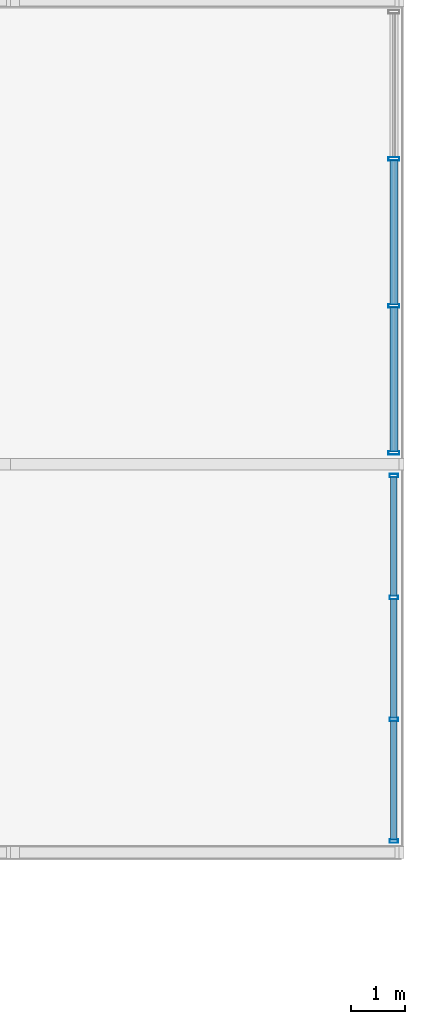
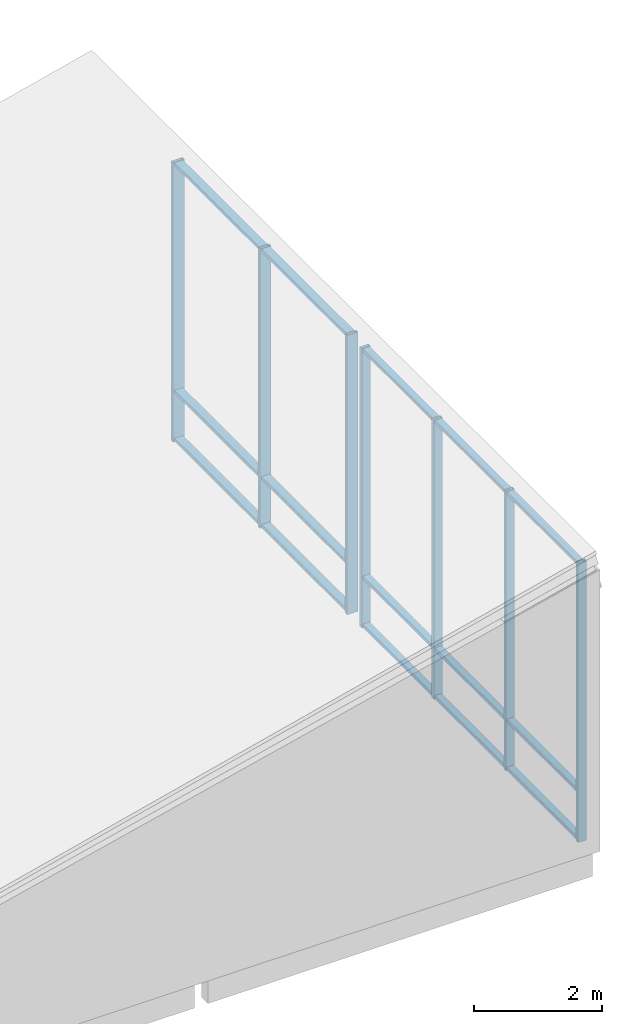
# One storey, part 28 of 57: 22 members, 2 elements without a shape of their own.
"""IFC4 building model written with IfcOpenShell, lengths in metres."""

from ifc_helpers import new_model, si_unit, direction, frame, origin, origin_2d, place, context, subcontext, project, spatial, hollow_rectangle, extrude, material, material_profile, profile_set, type_object, element, aggregate, save


model = new_model("IFC4")

# Units and contexts
model_context = context("Model", 3, precision=1e-05, world=origin(), true_north=direction((0.0, 1.0)))
body_context = subcontext(model_context, "Body", "Model", "MODEL_VIEW")
ifc_project = project(units=[si_unit("LENGTHUNIT", "METRE"), si_unit("AREAUNIT", "SQUARE_METRE"), si_unit("VOLUMEUNIT", "CUBIC_METRE"), si_unit("PLANEANGLEUNIT", "RADIAN"), si_unit("MASSUNIT", "GRAM", prefix="KILO")], contexts=[model_context])

# Site, building, storey
site_placement = place(None, origin())
site = spatial("IfcSite", under=ifc_project, at=site_placement, CompositionType="ELEMENT")
building_placement = place(site_placement, origin())
building = spatial("IfcBuilding", under=site, at=building_placement, Name="Hawrajan Terrace Health Centre", CompositionType="ELEMENT")
storey_placement = place(building_placement, frame((0.0, 0.0, 13.199951171875)))
storey = spatial("IfcBuildingStorey", under=building, at=storey_placement, Name="L03", CompositionType="ELEMENT", Elevation=13.199951171875)

# Curtain wall, members
ifc_material_1 = material(Name="Anodized bronze aluminium and low-E solar glazing", Category="aluminium")
curtain_wall_type = type_object("IfcCurtainWallType", Name="CW_Pavilion_SeriesE1", PredefinedType="USERDEFINED", material=ifc_material_1)
curtain_wall_1_placement = place(storey_placement, origin())
curtain_wall_1 = element("IfcCurtainWall", 1, at=curtain_wall_1_placement, inside=storey, type_object=curtain_wall_type, Name="Curtain wall CW-L03-V6E-186", ObjectType="UNITISED CURTAIN WALL", PredefinedType="USERDEFINED")
ifc_material_2 = material(Name="Anodized bronze aluminium 6063-T6", Category="aluminium")
ifc_material_profile_1 = material_profile(ifc_material_2, hollow_rectangle(XDim=0.06494140625, YDim=0.159912109375, WallThickness=0.00390625, at=origin_2d()), Name="CW MUL 65x160")
ifc_profile_set_1 = profile_set([ifc_material_profile_1], Name="Anodized bronze aluminium 6063-T6")
member_type_1 = type_object("IfcMemberType", Name="CWMullion_65x160", PredefinedType="MULLION", material=ifc_profile_set_1)
member_1_placement = place(storey_placement, frame((165.260009765625, 11.612548828125, -0.155029296875), z_axis=(0.0, 0.0, 1.0), x_axis=(0.0, 1.0, 0.0)))
member_1 = element("IfcMember", 2, at=member_1_placement, type_object=member_type_1, Name="Mullion CW-L03-V6E-186-M1", PredefinedType="MULLION", context=body_context, shape_type="SweptSolid", body=[
    extrude(hollow_rectangle(XDim=0.06494140625, YDim=0.159912109375, WallThickness=0.00390625, at=origin_2d()), origin(), (0.0, 0.0, 1.0), 5.345458984375),
])
member_2_placement = place(storey_placement, frame((165.260009765625, 13.870849609375, -0.155029296875), z_axis=(0.0, 0.0, 1.0), x_axis=(0.0, 1.0, 0.0)))
member_2 = element("IfcMember", 3, at=member_2_placement, type_object=member_type_1, Name="Mullion CW-L03-V6E-186-M2", PredefinedType="MULLION", context=body_context, shape_type="SweptSolid", body=[
    extrude(hollow_rectangle(XDim=0.06494140625, YDim=0.159912109375, WallThickness=0.00390625, at=origin_2d()), origin(), (0.0, 0.0, 1.0), 5.345458984375),
])
member_3_placement = place(storey_placement, frame((165.260009765625, 16.129150390625, -0.155029296875), z_axis=(0.0, 0.0, 1.0), x_axis=(0.0, 1.0, 0.0)))
member_3 = element("IfcMember", 4, at=member_3_placement, type_object=member_type_1, Name="Mullion CW-L03-V6E-186-M3", PredefinedType="MULLION", context=body_context, shape_type="SweptSolid", body=[
    extrude(hollow_rectangle(XDim=0.06494140625, YDim=0.159912109375, WallThickness=0.00390625, at=origin_2d()), origin(), (0.0, 0.0, 1.0), 5.345458984375),
])
member_4_placement = place(storey_placement, frame((165.260009765625, 18.387451171875, -0.155029296875), z_axis=(0.0, 0.0, 1.0), x_axis=(0.0, 1.0, 0.0)))
member_4 = element("IfcMember", 5, at=member_4_placement, type_object=member_type_1, Name="Mullion CW-L03-V6E-186-M4", PredefinedType="MULLION", context=body_context, shape_type="SweptSolid", body=[
    extrude(hollow_rectangle(XDim=0.06494140625, YDim=0.159912109375, WallThickness=0.00390625, at=origin_2d()), origin(), (0.0, 0.0, 1.0), 5.345458984375),
])

curtain_wall_2_placement = place(storey_placement, origin())
curtain_wall_2 = element("IfcCurtainWall", 6, at=curtain_wall_2_placement, inside=storey, type_object=curtain_wall_type, Name="Curtain wall CW-L03-V6E-187", ObjectType="UNITISED CURTAIN WALL", PredefinedType="USERDEFINED")
ifc_material_profile_2 = material_profile(ifc_material_2, hollow_rectangle(XDim=0.06494140625, YDim=0.199951171875, WallThickness=0.00439453125, at=origin_2d()), Name="CW MUL 65x200")
ifc_profile_set_2 = profile_set([ifc_material_profile_2], Name="Anodized bronze aluminium 6063-T6")
member_type_2 = type_object("IfcMemberType", Name="CWMullion_65x200", PredefinedType="MULLION", material=ifc_profile_set_2)
member_5_placement = place(storey_placement, frame((165.260009765625, 18.8125, -0.155029296875), z_axis=(0.0, 0.0, 1.0), x_axis=(0.0, 1.0, 0.0)))
member_5 = element("IfcMember", 7, at=member_5_placement, type_object=member_type_2, Name="Mullion CW-L03-V6E-187-M1", PredefinedType="MULLION", context=body_context, shape_type="SweptSolid", body=[
    extrude(hollow_rectangle(XDim=0.06494140625, YDim=0.199951171875, WallThickness=0.00439453125, at=origin_2d()), origin(), (0.0, 0.0, 1.0), 5.345458984375),
])
member_6_placement = place(storey_placement, frame((165.260009765625, 21.53759765625, -0.155029296875), z_axis=(0.0, 0.0, 1.0), x_axis=(0.0, 1.0, 0.0)))
member_6 = element("IfcMember", 8, at=member_6_placement, type_object=member_type_2, Name="Mullion CW-L03-V6E-187-M2", PredefinedType="MULLION", context=body_context, shape_type="SweptSolid", body=[
    extrude(hollow_rectangle(XDim=0.06494140625, YDim=0.199951171875, WallThickness=0.00439453125, at=origin_2d()), origin(), (0.0, 0.0, 1.0), 5.345458984375),
])
member_7_placement = place(storey_placement, frame((165.260009765625, 24.262451171875, -0.155029296875), z_axis=(0.0, 0.0, 1.0), x_axis=(0.0, 1.0, 0.0)))
member_7 = element("IfcMember", 9, at=member_7_placement, type_object=member_type_2, Name="Mullion CW-L03-V6E-187-M3", PredefinedType="MULLION", context=body_context, shape_type="SweptSolid", body=[
    extrude(hollow_rectangle(XDim=0.06494140625, YDim=0.199951171875, WallThickness=0.00439453125, at=origin_2d()), origin(), (0.0, 0.0, 1.0), 5.345458984375),
])

# Member
ifc_material_profile_3 = material_profile(ifc_material_2, hollow_rectangle(XDim=0.06494140625, YDim=0.1201171875, WallThickness=0.00341796875, at=origin_2d()), Name="CW TRN 65x120")
ifc_profile_set_3 = profile_set([ifc_material_profile_3], Name="Anodized bronze aluminium 6063-T6")
member_type_3 = type_object("IfcMemberType", Name="CWTransom_65x120", PredefinedType="USERDEFINED", material=ifc_profile_set_3)
member_8_placement = place(storey_placement, frame((165.260009765625, 11.638916015625, -0.117431640625), z_axis=(0.0, 1.0, 0.0), x_axis=(0.0, 0.0, 1.0)))
member_8 = element("IfcMember", 10, at=member_8_placement, type_object=member_type_3, Name="Transom CW-L03-V6E-186-T1-1", ObjectType="TRANSOM", PredefinedType="USERDEFINED", context=body_context, shape_type="SweptSolid", body=[
    extrude(hollow_rectangle(XDim=0.06494140625, YDim=0.1201171875, WallThickness=0.00341796875, at=origin_2d()), origin(), (0.0, 0.0, 1.0), 2.205322265625),
])

member_9_placement = place(storey_placement, frame((165.260009765625, 11.638916015625, 0.800048828125), z_axis=(0.0, 1.0, 0.0), x_axis=(0.0, 0.0, 1.0)))
member_9 = element("IfcMember", 11, at=member_9_placement, type_object=member_type_3, Name="Transom CW-L03-V6E-186-T1-2", ObjectType="TRANSOM", PredefinedType="USERDEFINED", context=body_context, shape_type="SweptSolid", body=[
    extrude(hollow_rectangle(XDim=0.06494140625, YDim=0.1201171875, WallThickness=0.00341796875, at=origin_2d()), origin(), (0.0, 0.0, 1.0), 2.205322265625),
])

member_10_placement = place(storey_placement, frame((165.260009765625, 11.638916015625, 5.153076171875), z_axis=(0.0, 1.0, 0.0), x_axis=(0.0, 0.0, 1.0)))
member_10 = element("IfcMember", 12, at=member_10_placement, type_object=member_type_3, Name="Transom CW-L03-V6E-186-T1-3", ObjectType="TRANSOM", PredefinedType="USERDEFINED", context=body_context, shape_type="SweptSolid", body=[
    extrude(hollow_rectangle(XDim=0.06494140625, YDim=0.1201171875, WallThickness=0.00341796875, at=origin_2d()), origin(), (0.0, 0.0, 1.0), 2.205322265625),
])

member_11_placement = place(storey_placement, frame((165.260009765625, 13.897216796875, -0.117431640625), z_axis=(0.0, 1.0, 0.0), x_axis=(0.0, 0.0, 1.0)))
member_11 = element("IfcMember", 13, at=member_11_placement, type_object=member_type_3, Name="Transom CW-L03-V6E-186-T2-1", ObjectType="TRANSOM", PredefinedType="USERDEFINED", context=body_context, shape_type="SweptSolid", body=[
    extrude(hollow_rectangle(XDim=0.06494140625, YDim=0.1201171875, WallThickness=0.00341796875, at=origin_2d()), origin(), (0.0, 0.0, 1.0), 2.20556640625),
])

member_12_placement = place(storey_placement, frame((165.260009765625, 13.897216796875, 0.800048828125), z_axis=(0.0, 1.0, 0.0), x_axis=(0.0, 0.0, 1.0)))
member_12 = element("IfcMember", 14, at=member_12_placement, type_object=member_type_3, Name="Transom CW-L03-V6E-186-T2-2", ObjectType="TRANSOM", PredefinedType="USERDEFINED", context=body_context, shape_type="SweptSolid", body=[
    extrude(hollow_rectangle(XDim=0.06494140625, YDim=0.1201171875, WallThickness=0.00341796875, at=origin_2d()), origin(), (0.0, 0.0, 1.0), 2.20556640625),
])

member_13_placement = place(storey_placement, frame((165.260009765625, 13.897216796875, 5.153076171875), z_axis=(0.0, 1.0, 0.0), x_axis=(0.0, 0.0, 1.0)))
member_13 = element("IfcMember", 15, at=member_13_placement, type_object=member_type_3, Name="Transom CW-L03-V6E-186-T2-3", ObjectType="TRANSOM", PredefinedType="USERDEFINED", context=body_context, shape_type="SweptSolid", body=[
    extrude(hollow_rectangle(XDim=0.06494140625, YDim=0.1201171875, WallThickness=0.00341796875, at=origin_2d()), origin(), (0.0, 0.0, 1.0), 2.20556640625),
])

member_14_placement = place(storey_placement, frame((165.260009765625, 16.15576171875, -0.117431640625), z_axis=(0.0, 1.0, 0.0), x_axis=(0.0, 0.0, 1.0)))
member_14 = element("IfcMember", 16, at=member_14_placement, type_object=member_type_3, Name="Transom CW-L03-V6E-186-T3-1", ObjectType="TRANSOM", PredefinedType="USERDEFINED", context=body_context, shape_type="SweptSolid", body=[
    extrude(hollow_rectangle(XDim=0.06494140625, YDim=0.1201171875, WallThickness=0.00341796875, at=origin_2d()), origin(), (0.0, 0.0, 1.0), 2.205322265625),
])

member_15_placement = place(storey_placement, frame((165.260009765625, 16.15576171875, 0.800048828125), z_axis=(0.0, 1.0, 0.0), x_axis=(0.0, 0.0, 1.0)))
member_15 = element("IfcMember", 17, at=member_15_placement, type_object=member_type_3, Name="Transom CW-L03-V6E-186-T3-2", ObjectType="TRANSOM", PredefinedType="USERDEFINED", context=body_context, shape_type="SweptSolid", body=[
    extrude(hollow_rectangle(XDim=0.06494140625, YDim=0.1201171875, WallThickness=0.00341796875, at=origin_2d()), origin(), (0.0, 0.0, 1.0), 2.205322265625),
])

member_16_placement = place(storey_placement, frame((165.260009765625, 16.15576171875, 5.153076171875), z_axis=(0.0, 1.0, 0.0), x_axis=(0.0, 0.0, 1.0)))
member_16 = element("IfcMember", 18, at=member_16_placement, type_object=member_type_3, Name="Transom CW-L03-V6E-186-T3-3", ObjectType="TRANSOM", PredefinedType="USERDEFINED", context=body_context, shape_type="SweptSolid", body=[
    extrude(hollow_rectangle(XDim=0.06494140625, YDim=0.1201171875, WallThickness=0.00341796875, at=origin_2d()), origin(), (0.0, 0.0, 1.0), 2.205322265625),
])

aggregate(curtain_wall_1, [member_1, member_2, member_3, member_4, member_8, member_9, member_10, member_11, member_12, member_13, member_14, member_15, member_16])

ifc_material_profile_4 = material_profile(ifc_material_2, hollow_rectangle(XDim=0.06494140625, YDim=0.14990234375, WallThickness=0.00390625, at=origin_2d()), Name="CW TRN 65x150")
ifc_profile_set_4 = profile_set([ifc_material_profile_4], Name="Anodized bronze aluminium 6063-T6")
member_type_4 = type_object("IfcMemberType", Name="CWTransom_65x150", PredefinedType="USERDEFINED", material=ifc_profile_set_4)
member_17_placement = place(storey_placement, frame((165.260009765625, 18.839111328125, -0.117431640625), z_axis=(0.0, 1.0, 0.0), x_axis=(0.0, 0.0, 1.0)))
member_17 = element("IfcMember", 19, at=member_17_placement, type_object=member_type_4, Name="Transom CW-L03-V6E-187-T1-1", ObjectType="TRANSOM", PredefinedType="USERDEFINED", context=body_context, shape_type="SweptSolid", body=[
    extrude(hollow_rectangle(XDim=0.06494140625, YDim=0.14990234375, WallThickness=0.00390625, at=origin_2d()), origin(), (0.0, 0.0, 1.0), 2.671875),
])

member_18_placement = place(storey_placement, frame((165.260009765625, 18.839111328125, 0.800048828125), z_axis=(0.0, 1.0, 0.0), x_axis=(0.0, 0.0, 1.0)))
member_18 = element("IfcMember", 20, at=member_18_placement, type_object=member_type_4, Name="Transom CW-L03-V6E-187-T1-2", ObjectType="TRANSOM", PredefinedType="USERDEFINED", context=body_context, shape_type="SweptSolid", body=[
    extrude(hollow_rectangle(XDim=0.06494140625, YDim=0.14990234375, WallThickness=0.00390625, at=origin_2d()), origin(), (0.0, 0.0, 1.0), 2.671875),
])

member_19_placement = place(storey_placement, frame((165.260009765625, 18.839111328125, 5.153076171875), z_axis=(0.0, 1.0, 0.0), x_axis=(0.0, 0.0, 1.0)))
member_19 = element("IfcMember", 21, at=member_19_placement, type_object=member_type_4, Name="Transom CW-L03-V6E-187-T1-3", ObjectType="TRANSOM", PredefinedType="USERDEFINED", context=body_context, shape_type="SweptSolid", body=[
    extrude(hollow_rectangle(XDim=0.06494140625, YDim=0.14990234375, WallThickness=0.00390625, at=origin_2d()), origin(), (0.0, 0.0, 1.0), 2.671875),
])

member_20_placement = place(storey_placement, frame((165.260009765625, 21.56396484375, -0.117431640625), z_axis=(0.0, 1.0, 0.0), x_axis=(0.0, 0.0, 1.0)))
member_20 = element("IfcMember", 22, at=member_20_placement, type_object=member_type_4, Name="Transom CW-L03-V6E-187-T2-1", ObjectType="TRANSOM", PredefinedType="USERDEFINED", context=body_context, shape_type="SweptSolid", body=[
    extrude(hollow_rectangle(XDim=0.06494140625, YDim=0.14990234375, WallThickness=0.00390625, at=origin_2d()), origin(), (0.0, 0.0, 1.0), 2.672119140625),
])

member_21_placement = place(storey_placement, frame((165.260009765625, 21.56396484375, 0.800048828125), z_axis=(0.0, 1.0, 0.0), x_axis=(0.0, 0.0, 1.0)))
member_21 = element("IfcMember", 23, at=member_21_placement, type_object=member_type_4, Name="Transom CW-L03-V6E-187-T2-2", ObjectType="TRANSOM", PredefinedType="USERDEFINED", context=body_context, shape_type="SweptSolid", body=[
    extrude(hollow_rectangle(XDim=0.06494140625, YDim=0.14990234375, WallThickness=0.00390625, at=origin_2d()), origin(), (0.0, 0.0, 1.0), 2.672119140625),
])

member_22_placement = place(storey_placement, frame((165.260009765625, 21.56396484375, 5.153076171875), z_axis=(0.0, 1.0, 0.0), x_axis=(0.0, 0.0, 1.0)))
member_22 = element("IfcMember", 24, at=member_22_placement, type_object=member_type_4, Name="Transom CW-L03-V6E-187-T2-3", ObjectType="TRANSOM", PredefinedType="USERDEFINED", context=body_context, shape_type="SweptSolid", body=[
    extrude(hollow_rectangle(XDim=0.06494140625, YDim=0.14990234375, WallThickness=0.00390625, at=origin_2d()), origin(), (0.0, 0.0, 1.0), 2.672119140625),
])

aggregate(curtain_wall_2, [member_5, member_6, member_7, member_17, member_18, member_19, member_20, member_21, member_22])

save(model, "model.ifc")
